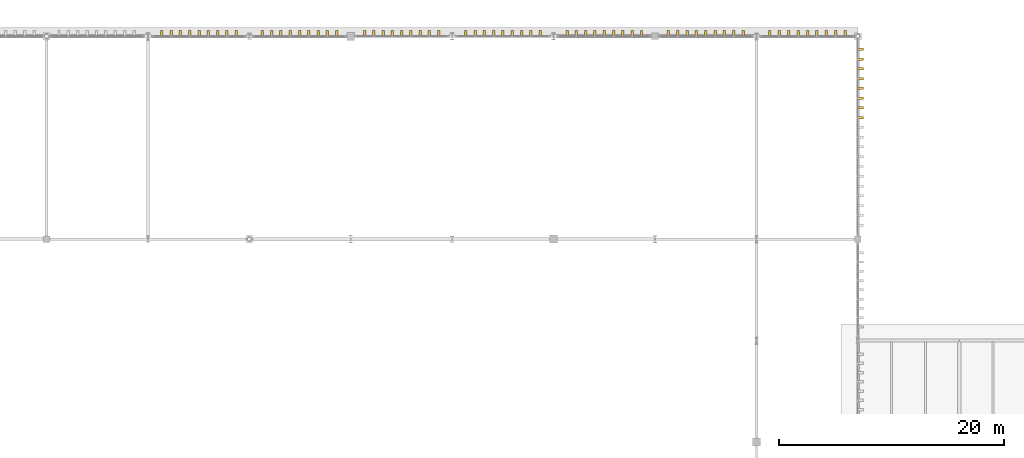
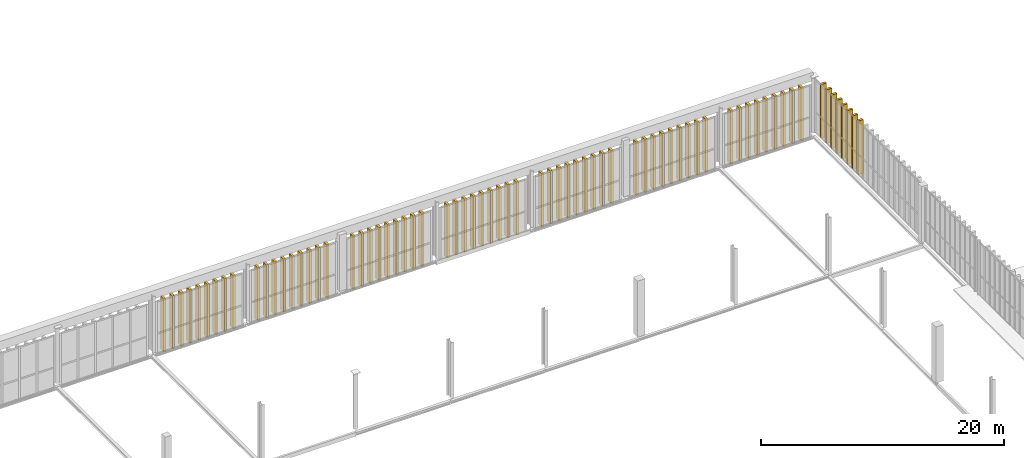
# One storey, part 237 of 237: 71 shading devices.
"""IFC4 building model written with IfcOpenShell, lengths in metres."""

from ifc_helpers import new_model, si_unit, direction, frame, origin, origin_2d, place, context, subcontext, project, spatial, rectangle, extrude, material, type_object, element, save


model = new_model("IFC4")

# Units and contexts
model_context = context("Model", 3, precision=1e-05, world=origin(), true_north=direction((0.0, 1.0)))
body_context = subcontext(model_context, "Body", "Model", "MODEL_VIEW")
ifc_project = project(units=[si_unit("LENGTHUNIT", "METRE"), si_unit("AREAUNIT", "SQUARE_METRE"), si_unit("VOLUMEUNIT", "CUBIC_METRE"), si_unit("PLANEANGLEUNIT", "RADIAN"), si_unit("MASSUNIT", "GRAM", prefix="KILO")], contexts=[model_context])

# Site, building, storey
site_placement = place(None, origin())
site = spatial("IfcSite", under=ifc_project, at=site_placement, CompositionType="ELEMENT")
building_placement = place(site_placement, origin())
building = spatial("IfcBuilding", under=site, at=building_placement, Name="Barlavento Convention Centre", CompositionType="ELEMENT")
storey_placement = place(building_placement, frame((0.0, 0.0, 12.0)))
storey = spatial("IfcBuildingStorey", under=building, at=storey_placement, Name="L02", CompositionType="ELEMENT", Elevation=12.0)

# Shading devices
ifc_material = material(Name="PVDF white extruded aluminium", Category="aluminium")
shading_device_type = type_object("IfcShadingDeviceType", Name="ARC-SHD-FIN-480", PredefinedType="USERDEFINED", material=ifc_material)
for number, where, z_axis, x_axis, name in (
    (1, (64.23046875, 135.239990234375, -0.5), (0.0, 0.0, 1.0), (1.0, 0.0, 0.0), "White vertical solar shading fin VF01"),
    (2, (65.056884765625, 135.239990234375, -0.5), (0.0, 0.0, 1.0), (1.0, 0.0, 0.0), "White vertical solar shading fin VF01"),
    (3, (65.88330078125, 135.239990234375, -0.5), (0.0, 0.0, 1.0), (1.0, 0.0, 0.0), "White vertical solar shading fin VF01"),
    (4, (66.709716796875, 135.239990234375, -0.5), (0.0, 0.0, 1.0), (1.0, 0.0, 0.0), "White vertical solar shading fin VF01"),
    (5, (67.535888671875, 135.239990234375, -0.5), (0.0, 0.0, 1.0), (1.0, 0.0, 0.0), "White vertical solar shading fin VF01"),
    (6, (68.3623046875, 135.239990234375, -0.5), (0.0, 0.0, 1.0), (1.0, 0.0, 0.0), "White vertical solar shading fin VF01"),
    (7, (69.188720703125, 135.239990234375, -0.5), (0.0, 0.0, 1.0), (1.0, 0.0, 0.0), "White vertical solar shading fin VF01"),
    (8, (70.01513671875, 135.239990234375, -0.5), (0.0, 0.0, 1.0), (1.0, 0.0, 0.0), "White vertical solar shading fin VF01"),
    (9, (70.841552734375, 135.239990234375, -0.5), (0.0, 0.0, 1.0), (1.0, 0.0, 0.0), "White vertical solar shading fin VF01"),
    (10, (73.15673828125, 135.239990234375, -0.5), (0.0, 0.0, 1.0), (1.0, 0.0, 0.0), "White vertical solar shading fin VF01"),
    (11, (73.981689453125, 135.239990234375, -0.5), (0.0, 0.0, 1.0), (1.0, 0.0, 0.0), "White vertical solar shading fin VF01"),
    (12, (74.806396484375, 135.239990234375, -0.5), (0.0, 0.0, 1.0), (1.0, 0.0, 0.0), "White vertical solar shading fin VF01"),
    (13, (75.631103515625, 135.239990234375, -0.5), (0.0, 0.0, 1.0), (1.0, 0.0, 0.0), "White vertical solar shading fin VF01"),
    (14, (76.4560546875, 135.239990234375, -0.5), (0.0, 0.0, 1.0), (1.0, 0.0, 0.0), "White vertical solar shading fin VF01"),
    (15, (77.28076171875, 135.239990234375, -0.5), (0.0, 0.0, 1.0), (1.0, 0.0, 0.0), "White vertical solar shading fin VF01"),
    (16, (78.105712890625, 135.239990234375, -0.5), (0.0, 0.0, 1.0), (1.0, 0.0, 0.0), "White vertical solar shading fin VF01"),
    (17, (78.930419921875, 135.239990234375, -0.5), (0.0, 0.0, 1.0), (1.0, 0.0, 0.0), "White vertical solar shading fin VF01"),
    (18, (79.755126953125, 135.239990234375, -0.5), (0.0, 0.0, 1.0), (1.0, 0.0, 0.0), "White vertical solar shading fin VF01"),
    (19, (82.239990234375, 135.239990234375, -0.5), (0.0, 0.0, 1.0), (1.0, 0.0, 0.0), "White vertical solar shading fin VF01"),
    (20, (83.06005859375, 135.239990234375, -0.5), (0.0, 0.0, 1.0), (1.0, 0.0, 0.0), "White vertical solar shading fin VF01"),
    (21, (83.8798828125, 135.239990234375, -0.5), (0.0, 0.0, 1.0), (1.0, 0.0, 0.0), "White vertical solar shading fin VF01"),
    (22, (84.699951171875, 135.239990234375, -0.5), (0.0, 0.0, 1.0), (1.0, 0.0, 0.0), "White vertical solar shading fin VF01"),
    (23, (85.52001953125, 135.239990234375, -0.5), (0.0, 0.0, 1.0), (1.0, 0.0, 0.0), "White vertical solar shading fin VF01"),
    (24, (86.340087890625, 135.239990234375, -0.5), (0.0, 0.0, 1.0), (1.0, 0.0, 0.0), "White vertical solar shading fin VF01"),
    (25, (87.159912109375, 135.239990234375, -0.5), (0.0, 0.0, 1.0), (1.0, 0.0, 0.0), "White vertical solar shading fin VF01"),
    (26, (87.97998046875, 135.239990234375, -0.5), (0.0, 0.0, 1.0), (1.0, 0.0, 0.0), "White vertical solar shading fin VF01"),
    (27, (88.800048828125, 135.239990234375, -0.5), (0.0, 0.0, 1.0), (1.0, 0.0, 0.0), "White vertical solar shading fin VF01"),
    (28, (91.205078125, 135.239990234375, -0.5), (0.0, 0.0, 1.0), (1.0, 0.0, 0.0), "White vertical solar shading fin VF01"),
    (29, (92.030029296875, 135.239990234375, -0.5), (0.0, 0.0, 1.0), (1.0, 0.0, 0.0), "White vertical solar shading fin VF01"),
    (30, (92.85498046875, 135.239990234375, -0.5), (0.0, 0.0, 1.0), (1.0, 0.0, 0.0), "White vertical solar shading fin VF01"),
    (31, (93.679931640625, 135.239990234375, -0.5), (0.0, 0.0, 1.0), (1.0, 0.0, 0.0), "White vertical solar shading fin VF01"),
    (32, (94.5048828125, 135.239990234375, -0.5), (0.0, 0.0, 1.0), (1.0, 0.0, 0.0), "White vertical solar shading fin VF01"),
    (33, (95.330078125, 135.239990234375, -0.5), (0.0, 0.0, 1.0), (1.0, 0.0, 0.0), "White vertical solar shading fin VF01"),
    (34, (96.155029296875, 135.239990234375, -0.5), (0.0, 0.0, 1.0), (1.0, 0.0, 0.0), "White vertical solar shading fin VF01"),
    (35, (96.97998046875, 135.239990234375, -0.5), (0.0, 0.0, 1.0), (1.0, 0.0, 0.0), "White vertical solar shading fin VF01"),
    (36, (97.804931640625, 135.239990234375, -0.5), (0.0, 0.0, 1.0), (1.0, 0.0, 0.0), "White vertical solar shading fin VF01"),
    (37, (100.196044921875, 135.239990234375, -0.5), (0.0, 0.0, 1.0), (1.0, 0.0, 0.0), "White vertical solar shading fin VF01"),
    (38, (101.02197265625, 135.239990234375, -0.5), (0.0, 0.0, 1.0), (1.0, 0.0, 0.0), "White vertical solar shading fin VF01"),
    (39, (101.847900390625, 135.239990234375, -0.5), (0.0, 0.0, 1.0), (1.0, 0.0, 0.0), "White vertical solar shading fin VF01"),
    (40, (102.674072265625, 135.239990234375, -0.5), (0.0, 0.0, 1.0), (1.0, 0.0, 0.0), "White vertical solar shading fin VF01"),
    (41, (103.5, 135.239990234375, -0.5), (0.0, 0.0, 1.0), (1.0, 0.0, 0.0), "White vertical solar shading fin VF01"),
    (42, (104.325927734375, 135.239990234375, -0.5), (0.0, 0.0, 1.0), (1.0, 0.0, 0.0), "White vertical solar shading fin VF01"),
    (43, (105.152099609375, 135.239990234375, -0.5), (0.0, 0.0, 1.0), (1.0, 0.0, 0.0), "White vertical solar shading fin VF01"),
    (44, (105.97802734375, 135.239990234375, -0.5), (0.0, 0.0, 1.0), (1.0, 0.0, 0.0), "White vertical solar shading fin VF01"),
    (45, (106.803955078125, 135.239990234375, -0.5), (0.0, 0.0, 1.0), (1.0, 0.0, 0.0), "White vertical solar shading fin VF01"),
    (46, (109.197509765625, 135.239990234375, -0.5), (0.0, 0.0, 1.0), (1.0, 0.0, 0.0), "White vertical solar shading fin VF01"),
    (47, (110.02490234375, 135.239990234375, -0.5), (0.0, 0.0, 1.0), (1.0, 0.0, 0.0), "White vertical solar shading fin VF01"),
    (48, (110.852294921875, 135.239990234375, -0.5), (0.0, 0.0, 1.0), (1.0, 0.0, 0.0), "White vertical solar shading fin VF01"),
    (49, (111.6796875, 135.239990234375, -0.5), (0.0, 0.0, 1.0), (1.0, 0.0, 0.0), "White vertical solar shading fin VF01"),
    (50, (112.507080078125, 135.239990234375, -0.5), (0.0, 0.0, 1.0), (1.0, 0.0, 0.0), "White vertical solar shading fin VF01"),
    (51, (113.33447265625, 135.239990234375, -0.5), (0.0, 0.0, 1.0), (1.0, 0.0, 0.0), "White vertical solar shading fin VF01"),
    (52, (114.161865234375, 135.239990234375, -0.5), (0.0, 0.0, 1.0), (1.0, 0.0, 0.0), "White vertical solar shading fin VF01"),
    (53, (114.9892578125, 135.239990234375, -0.5), (0.0, 0.0, 1.0), (1.0, 0.0, 0.0), "White vertical solar shading fin VF01"),
    (54, (115.816650390625, 135.239990234375, -0.5), (0.0, 0.0, 1.0), (1.0, 0.0, 0.0), "White vertical solar shading fin VF01"),
    (55, (118.193115234375, 135.239990234375, -0.5), (0.0, 0.0, 1.0), (1.0, 0.0, 0.0), "White vertical solar shading fin VF01"),
    (56, (119.0302734375, 135.239990234375, -0.5), (0.0, 0.0, 1.0), (1.0, 0.0, 0.0), "White vertical solar shading fin VF01"),
    (57, (119.8671875, 135.239990234375, -0.5), (0.0, 0.0, 1.0), (1.0, 0.0, 0.0), "White vertical solar shading fin VF01"),
    (58, (120.704345703125, 135.239990234375, -0.5), (0.0, 0.0, 1.0), (1.0, 0.0, 0.0), "White vertical solar shading fin VF01"),
    (59, (121.54150390625, 135.239990234375, -0.5), (0.0, 0.0, 1.0), (1.0, 0.0, 0.0), "White vertical solar shading fin VF01"),
    (60, (122.37841796875, 135.239990234375, -0.5), (0.0, 0.0, 1.0), (1.0, 0.0, 0.0), "White vertical solar shading fin VF01"),
    (61, (123.215576171875, 135.239990234375, -0.5), (0.0, 0.0, 1.0), (1.0, 0.0, 0.0), "White vertical solar shading fin VF01"),
    (62, (124.052490234375, 135.239990234375, -0.5), (0.0, 0.0, 1.0), (1.0, 0.0, 0.0), "White vertical solar shading fin VF01"),
    (63, (124.8896484375, 135.239990234375, -0.5), (0.0, 0.0, 1.0), (1.0, 0.0, 0.0), "White vertical solar shading fin VF01"),
):
    element("IfcShadingDevice", number, at=place(storey_placement, frame(where, z_axis=z_axis, x_axis=x_axis)), inside=storey, type_object=shading_device_type, Name=name, ObjectType="FIN", PredefinedType="USERDEFINED", context=body_context, shape_type="SweptSolid", body=[
        extrude(rectangle(XDim=0.219970703125, YDim=0.52001953125, at=origin_2d()), origin(), (0.0, 0.0, 1.0), 5.35009765625),
    ])
for number, where, z_axis, x_axis, name in (
    (64, (126.239990234375, 127.781982421875, 0.10009765625), (0.0, 0.0, 1.0), (0.0, 1.0, 0.0), "White vertical solar shading fin VF01"),
    (65, (126.239990234375, 128.64892578125, 0.10009765625), (0.0, 0.0, 1.0), (0.0, 1.0, 0.0), "White vertical solar shading fin VF01"),
    (66, (126.239990234375, 129.515869140625, 0.10009765625), (0.0, 0.0, 1.0), (0.0, 1.0, 0.0), "White vertical solar shading fin VF01"),
    (67, (126.239990234375, 130.382568359375, 0.10009765625), (0.0, 0.0, 1.0), (0.0, 1.0, 0.0), "White vertical solar shading fin VF01"),
    (68, (126.239990234375, 131.24951171875, 0.10009765625), (0.0, 0.0, 1.0), (0.0, 1.0, 0.0), "White vertical solar shading fin VF01"),
    (69, (126.239990234375, 132.1162109375, 0.10009765625), (0.0, 0.0, 1.0), (0.0, 1.0, 0.0), "White vertical solar shading fin VF01"),
    (70, (126.239990234375, 132.983154296875, 0.10009765625), (0.0, 0.0, 1.0), (0.0, 1.0, 0.0), "White vertical solar shading fin VF01"),
    (71, (126.239990234375, 133.85009765625, 0.10009765625), (0.0, 0.0, 1.0), (0.0, 1.0, 0.0), "White vertical solar shading fin VF01"),
):
    element("IfcShadingDevice", number, at=place(storey_placement, frame(where, z_axis=z_axis, x_axis=x_axis)), inside=storey, type_object=shading_device_type, Name=name, ObjectType="FIN", PredefinedType="USERDEFINED", context=body_context, shape_type="SweptSolid", body=[
        extrude(rectangle(XDim=0.219970703125, YDim=0.52001953125, at=origin_2d()), origin(), (0.0, 0.0, 1.0), 5.39990234375),
    ])

save(model, "model.ifc")
